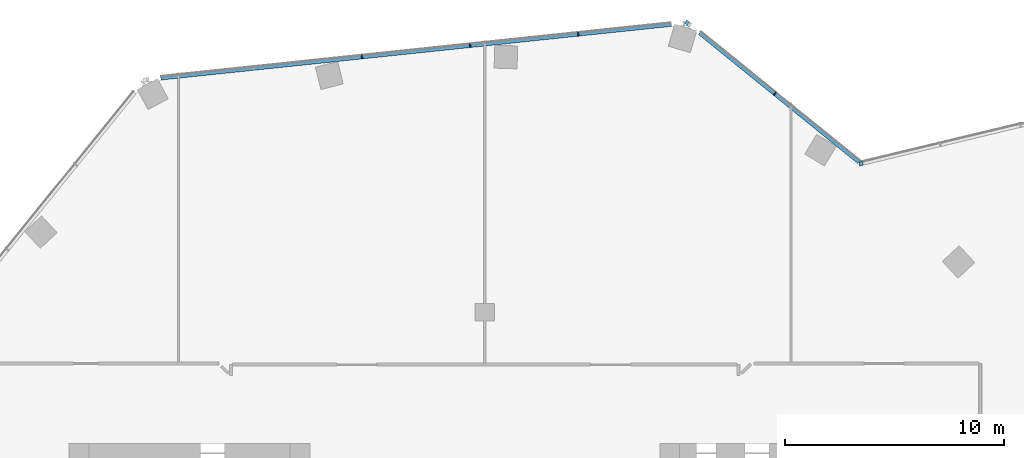
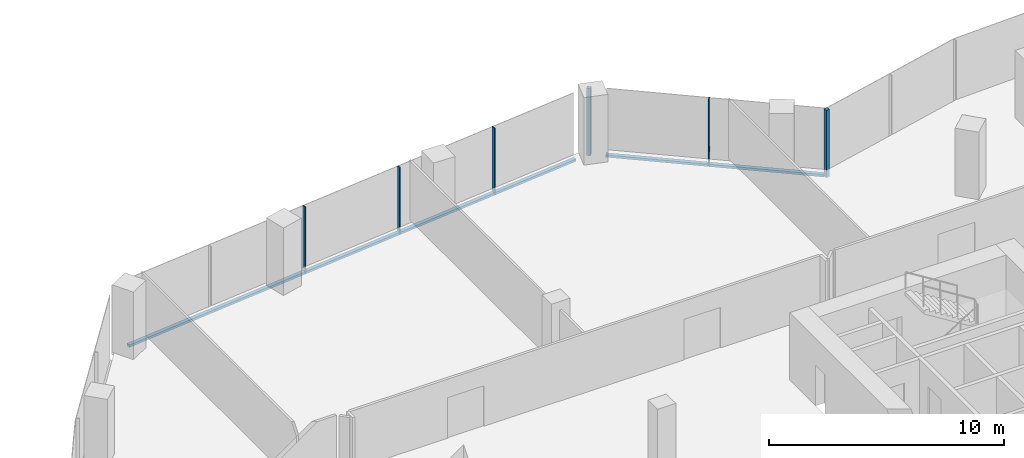
# One storey, part 11 of 26: 8 members, 3 elements without a shape of their own.
"""IFC4 building model written with IfcOpenShell, lengths in metres."""

from ifc_helpers import new_model, si_unit, direction, frame, origin, origin_2d, place, context, subcontext, project, spatial, rectangle, extrude, material, material_profile, profile_set, type_object, element, aggregate, save


model = new_model("IFC4")

# Units and contexts
model_context = context("Model", 3, precision=1e-05, world=origin(), true_north=direction((0.0, 1.0)))
body_context = subcontext(model_context, "Body", "Model", "MODEL_VIEW")
ifc_project = project(units=[si_unit("LENGTHUNIT", "METRE"), si_unit("AREAUNIT", "SQUARE_METRE"), si_unit("VOLUMEUNIT", "CUBIC_METRE"), si_unit("PLANEANGLEUNIT", "RADIAN"), si_unit("MASSUNIT", "GRAM", prefix="KILO")], contexts=[model_context])

# Site, building, storey
site_placement = place(None, origin())
site = spatial("IfcSite", under=ifc_project, at=site_placement, CompositionType="ELEMENT")
building_placement = place(site_placement, origin())
building = spatial("IfcBuilding", under=site, at=building_placement, Name="Orlundy Tower", CompositionType="ELEMENT")
storey_placement = place(building_placement, frame((0.0, 0.0, 214.0)))
storey = spatial("IfcBuildingStorey", under=building, at=storey_placement, Name="L56", CompositionType="ELEMENT", Elevation=214.0)

# Curtain wall, member
ifc_material_1 = material(Name="Aluminium bronze anodised", Category="aluminium")
curtain_wall_type = type_object("IfcCurtainWallType", Name="CW1 wall", PredefinedType="NOTDEFINED", material=ifc_material_1)
curtain_wall_1_placement = place(storey_placement, origin())
curtain_wall_1 = element("IfcCurtainWall", 1, at=curtain_wall_1_placement, inside=storey, type_object=curtain_wall_type, Name="CW1 run 05", PredefinedType="NOTDEFINED")
ifc_material_2 = material(Name="Aluminium bronze anodised", Category="aluminium")
ifc_material_profile_1 = material_profile(ifc_material_2, rectangle(XDim=0.179931640625, YDim=0.179931640625, at=origin_2d()), Name="CW1 corner post 180x180")
ifc_profile_set_1 = profile_set([ifc_material_profile_1], Name="Aluminium bronze anodised")
member_type_1 = type_object("IfcMemberType", Name="CW1 corner post 180x180", PredefinedType="MULLION", material=ifc_profile_set_1)
member_1_placement = place(storey_placement, frame((9.249755859375, 31.228515625, -0.39990234375), z_axis=(0.0, 0.0, 1.0), x_axis=(0.629341524139, 0.777128847743, 0.0)))
member_1 = element("IfcMember", 2, at=member_1_placement, type_object=member_type_1, Name="CW1 mullion 24", PredefinedType="MULLION", context=body_context, shape_type="SweptSolid", body=[
    extrude(rectangle(XDim=0.179931640625, YDim=0.179931640625, at=origin_2d()), origin(), (0.0, 0.0, 1.0), 3.47998046875),
])

curtain_wall_2_placement = place(storey_placement, origin())
curtain_wall_2 = element("IfcCurtainWall", 3, at=curtain_wall_2_placement, inside=storey, type_object=curtain_wall_type, Name="CW1 run 06", PredefinedType="NOTDEFINED")
member_2_placement = place(storey_placement, frame((17.2001953125, 24.789794921875, -0.39990234375), z_axis=(0.0, 0.0, 1.0), x_axis=(-0.233528608579, 0.972349931339, 0.0)))
member_2 = element("IfcMember", 4, at=member_2_placement, type_object=member_type_1, Name="CW1 mullion 26", PredefinedType="MULLION", context=body_context, shape_type="SweptSolid", body=[
    extrude(rectangle(XDim=0.179931640625, YDim=0.179931640625, at=origin_2d()), origin(), (0.0, 0.0, 1.0), 3.47998046875),
])
aggregate(curtain_wall_2, [member_2])

# Curtain wall, members
curtain_wall_3_placement = place(storey_placement, origin())
curtain_wall_3 = element("IfcCurtainWall", 5, at=curtain_wall_3_placement, inside=storey, type_object=curtain_wall_type, Name="CW1 run 04", PredefinedType="NOTDEFINED")
ifc_material_3 = material(Name="Aluminium bronze anodised", Category="aluminium")
ifc_material_profile_2 = material_profile(ifc_material_3, rectangle(XDim=0.179931640625, YDim=0.050048828125, at=origin_2d()), Name="CW1 mullion 50x180")
ifc_profile_set_2 = profile_set([ifc_material_profile_2], Name="Aluminium bronze anodised")
member_type_2 = type_object("IfcMemberType", Name="CW1 mullion 50x180", PredefinedType="MULLION", material=ifc_profile_set_2)
member_3_placement = place(storey_placement, frame((-5.616943359375, 29.665771484375, -0.39990234375), z_axis=(0.0, 0.0, 1.0), x_axis=(-0.104538162943, 0.994520875843, 0.0)))
member_3 = element("IfcMember", 6, at=member_3_placement, type_object=member_type_2, Name="CW1 mullion 21", PredefinedType="MULLION", context=body_context, shape_type="SweptSolid", body=[
    extrude(rectangle(XDim=0.179931640625, YDim=0.050048828125, at=origin_2d()), origin(), (0.0, 0.0, 1.0), 3.47998046875),
])
member_4_placement = place(storey_placement, frame((-0.673828125, 30.185302734375, -0.39990234375), z_axis=(0.0, 0.0, 1.0), x_axis=(-0.104538162943, 0.994520875843, 0.0)))
member_4 = element("IfcMember", 7, at=member_4_placement, type_object=member_type_2, Name="CW1 mullion 22", PredefinedType="MULLION", context=body_context, shape_type="SweptSolid", body=[
    extrude(rectangle(XDim=0.179931640625, YDim=0.050048828125, at=origin_2d()), origin(), (0.0, 0.0, 1.0), 3.47998046875),
])
member_5_placement = place(storey_placement, frame((4.269287109375, 30.704833984375, -0.39990234375), z_axis=(0.0, 0.0, 1.0), x_axis=(-0.104538162943, 0.994520875843, 0.0)))
member_5 = element("IfcMember", 8, at=member_5_placement, type_object=member_type_2, Name="CW1 mullion 23", PredefinedType="MULLION", context=body_context, shape_type="SweptSolid", body=[
    extrude(rectangle(XDim=0.179931640625, YDim=0.050048828125, at=origin_2d()), origin(), (0.0, 0.0, 1.0), 3.47998046875),
])

# Member
member_6_placement = place(storey_placement, frame((13.256591796875, 27.9833984375, -0.39990234375), z_axis=(0.0, 0.0, 1.0), x_axis=(0.629341524139, 0.777128847743, 0.0)))
member_6 = element("IfcMember", 9, at=member_6_placement, type_object=member_type_2, Name="CW1 mullion 25", PredefinedType="MULLION", context=body_context, shape_type="SweptSolid", body=[
    extrude(rectangle(XDim=0.179931640625, YDim=0.050048828125, at=origin_2d()), origin(), (0.0, 0.0, 1.0), 3.47998046875),
])

ifc_material_4 = material(Name="Aluminium bronze anodised", Category="aluminium")
ifc_material_profile_3 = material_profile(ifc_material_4, rectangle(XDim=0.179931640625, YDim=0.1201171875, at=origin_2d()), Name="CW1 transom 180x120")
ifc_profile_set_3 = profile_set([ifc_material_profile_3], Name="Aluminium bronze anodised")
member_type_3 = type_object("IfcMemberType", Name="CW1 transom 180x120", PredefinedType="USERDEFINED", material=ifc_profile_set_3)
member_7_placement = place(storey_placement, frame((-14.81396484375, 28.698974609375, -0.340087890625), z_axis=(0.994520834268, 0.10453855847, 0.0), x_axis=(-0.10453855847, 0.994520834268, 0.0)))
member_7 = element("IfcMember", 10, at=member_7_placement, type_object=member_type_3, Name="CW1 transom", ObjectType="TRANSOM", PredefinedType="USERDEFINED", context=body_context, shape_type="SweptSolid", body=[
    extrude(rectangle(XDim=0.179931640625, YDim=0.1201171875, at=origin_2d()), origin(), (0.0, 0.0, 1.0), 23.46630859375),
])

aggregate(curtain_wall_3, [member_3, member_4, member_5, member_7])

member_8_placement = place(storey_placement, frame((9.81787109375, 30.768310546875, -0.340087890625), z_axis=(0.777132191198, -0.629337395523, 0.0), x_axis=(0.629337395523, 0.777132191198, 0.0)))
member_8 = element("IfcMember", 11, at=member_8_placement, type_object=member_type_3, Name="CW1 transom", ObjectType="TRANSOM", PredefinedType="USERDEFINED", context=body_context, shape_type="SweptSolid", body=[
    extrude(rectangle(XDim=0.179931640625, YDim=0.1201171875, at=origin_2d()), origin(), (0.0, 0.0, 1.0), 9.385986328125),
])

aggregate(curtain_wall_1, [member_1, member_6, member_8])

save(model, "model.ifc")
